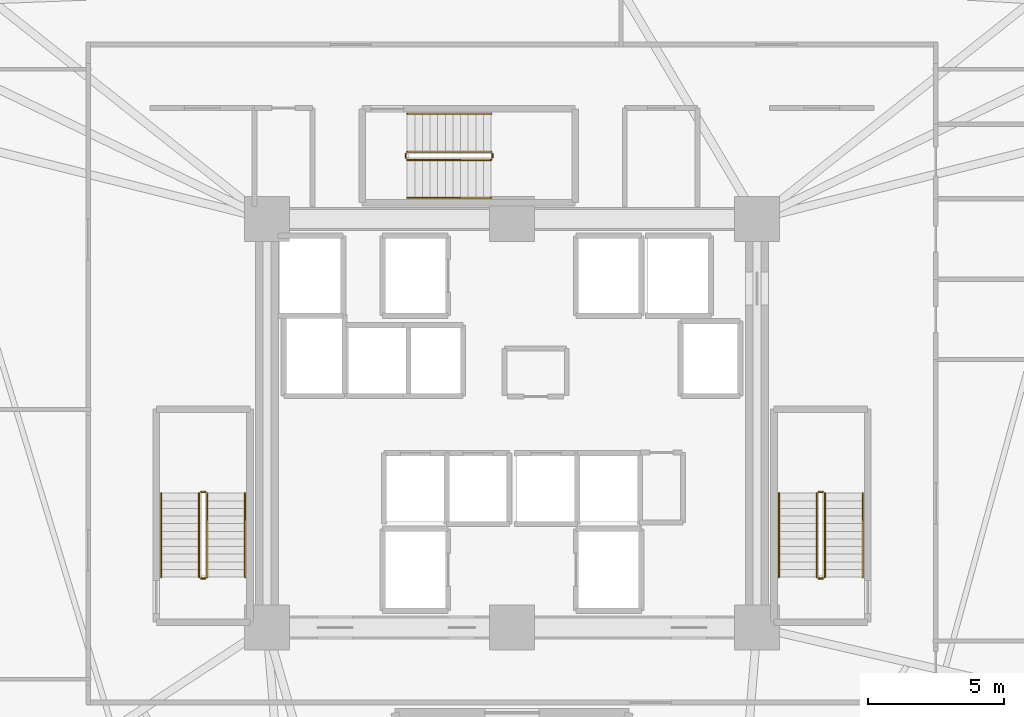
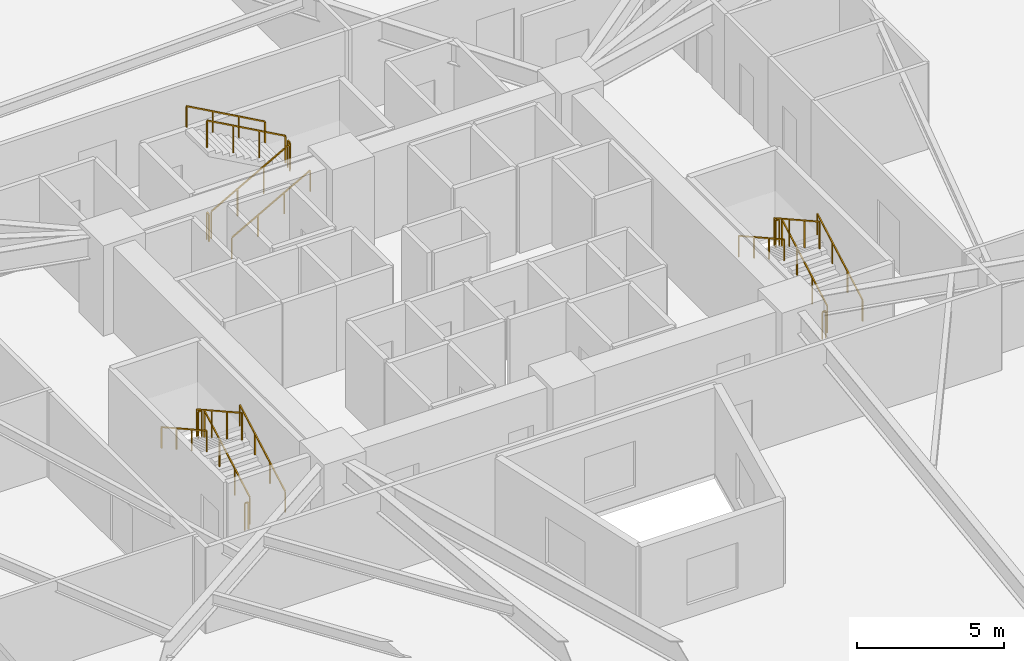
# One storey, part 8 of 8: 18 railings.
"""IFC4 building model written with IfcOpenShell, lengths in metres."""

import ifcopenshell
import ifcopenshell.guid

model = None  # the IFC model being written
_history = None  # IfcOwnerHistory: only IFC2X3 demands one
_inside = {}  # id of a spatial element -> (the spatial element, [elements in it])
_under = {}  # id of a project, library or spatial element -> (it, [spatial elements below it])
_declared = {}  # id of a project -> (the project, [libraries it declares])
_typed = {}  # id of a type object -> (the type object, [elements of that type])
_made_of = {}  # id of a material, layer set ... -> (it, [elements and type objects made of it])


def new_model(schema):
    """Start an empty IFC model of exactly this schema.

    Asked for "IFC4X3", IfcOpenShell would pick the latest addendum, in which some entities
    have other attributes; the version numbers below select the first issue.
    IFC2X3 requires an IfcOwnerHistory on every rooted entity: one is made here for all.
    """
    global model, _history
    if schema == "IFC4X3":
        model = ifcopenshell.file(schema_version=(4, 3, 0, 0))
    else:
        model = ifcopenshell.file(schema=schema)
    _inside.clear()
    _under.clear()
    _declared.clear()
    _typed.clear()
    _made_of.clear()
    _history = None
    if model.schema == "IFC2X3":
        org = make("IfcOrganization", Name="unknown")
        user = make(
            "IfcPersonAndOrganization",
            ThePerson=make("IfcPerson", FamilyName="unknown"),
            TheOrganization=org,
        )
        app = make(
            "IfcApplication",
            ApplicationDeveloper=org,
            Version="unknown",
            ApplicationFullName="unknown",
            ApplicationIdentifier="unknown",
        )
        _history = make(
            "IfcOwnerHistory",
            OwningUser=user,
            OwningApplication=app,
            ChangeAction="ADDED",
            CreationDate=0,
        )
    return model


def make(cls, **values):
    """One entity of the class cls with the attributes given. An attribute that is None is left unset."""
    return model.create_entity(
        cls, **{name: value for name, value in values.items() if value is not None}
    )


def rooted(cls, **values):
    """An entity with a GlobalId (a new one), such as an element, a storey or a relation."""
    return make(cls, GlobalId=ifcopenshell.guid.new(), OwnerHistory=_history, **values)


def si_unit(unit_type, name, prefix=None):
    """IfcSIUnit, for example si_unit("LENGTHUNIT", "METRE", prefix="MILLI")."""
    return make("IfcSIUnit", UnitType=unit_type, Prefix=prefix, Name=name)


def assignment(units):
    """IfcUnitAssignment: the units of a project."""
    return None if units is None else make("IfcUnitAssignment", Units=units)


def point(xyz):
    """IfcCartesianPoint."""
    return None if xyz is None else make("IfcCartesianPoint", Coordinates=xyz)


def direction(xyz):
    """IfcDirection."""
    return None if xyz is None else make("IfcDirection", DirectionRatios=xyz)


def frame(location, z_axis=None, x_axis=None):
    """IfcAxis2Placement3D, a coordinate frame: its origin and axes. An axis left out is left unset."""
    return make(
        "IfcAxis2Placement3D",
        Location=point(location),
        Axis=direction(z_axis),
        RefDirection=direction(x_axis),
    )


def frame_2d(location, x_axis=None):
    """IfcAxis2Placement2D, a coordinate frame in the plane: its origin and x axis."""
    return make(
        "IfcAxis2Placement2D", Location=point(location), RefDirection=direction(x_axis)
    )


def origin():
    """The frame at (0, 0, 0) with its axes left unset."""
    return frame((0.0, 0.0, 0.0))


def origin_2d():
    """The frame at (0, 0) in the plane with its x axis left unset."""
    return frame_2d((0.0, 0.0))


def place(relative_to, where):
    """IfcLocalPlacement: puts the frame where relative to a parent placement (None: the world)."""
    return make(
        "IfcLocalPlacement", PlacementRelTo=relative_to, RelativePlacement=where
    )


def context(
    kind, dimensions, precision=None, world=None, true_north=None, identifier=None
):
    """IfcGeometricRepresentationContext, for example the 3D "Model" context."""
    return make(
        "IfcGeometricRepresentationContext",
        ContextIdentifier=identifier,
        ContextType=kind,
        CoordinateSpaceDimension=dimensions,
        Precision=precision,
        WorldCoordinateSystem=world,
        TrueNorth=true_north,
    )


def subcontext(parent, identifier, kind, view, scale=None):
    """IfcGeometricRepresentationSubContext, for example "Body" below "Model"."""
    return make(
        "IfcGeometricRepresentationSubContext",
        ContextIdentifier=identifier,
        ContextType=kind,
        ParentContext=parent,
        TargetScale=scale,
        TargetView=view,
    )


def project(units=None, contexts=None):
    """IfcProject with its units and contexts."""
    return rooted(
        "IfcProject",
        Name="project",
        RepresentationContexts=contexts,
        UnitsInContext=assignment(units),
    )


def spatial(cls, under=None, at=None, **own):
    """A site, building, storey or space (cls), placed at a placement, below another one or the project."""
    s = rooted(cls, ObjectPlacement=at, **own)
    if under is not None:
        _under.setdefault(under.id(), (under, []))[1].append(s)
    return s


def profile(cls, at=None, kind="AREA", **sizes):
    """A parametric profile (cls). Its sizes go by their IFC names, for example OverallWidth=200.0."""
    return make(cls, ProfileType=kind, Position=at, **sizes)


def rectangle(**sizes):
    """IfcRectangleProfileDef."""
    return profile("IfcRectangleProfileDef", **sizes)


def extrude(swept, where, along, depth):
    """IfcExtrudedAreaSolid: the profile swept, set in the frame where, extruded along a direction by depth."""
    return make(
        "IfcExtrudedAreaSolid",
        SweptArea=swept,
        Position=where,
        ExtrudedDirection=direction(along),
        Depth=depth,
    )


def shape(context_of_items, identifier, shape_type, items):
    """IfcShapeRepresentation: the items that make up one representation, for example the "Body"."""
    return make(
        "IfcShapeRepresentation",
        ContextOfItems=context_of_items,
        RepresentationIdentifier=identifier,
        RepresentationType=shape_type,
        Items=items,
    )


def material(Name=None, Category=None):
    """IfcMaterial."""
    return make("IfcMaterial", Name=Name, Category=Category)


def made_of(thing, what):
    """Note that an element or type object is made of a material, layer set ...; save() writes the relation."""
    if what is not None:
        _made_of.setdefault(what.id(), (what, []))[1].append(thing)
    return thing


def type_object(cls, material=None, **own):
    """A type object (cls), such as IfcWallType, which elements share."""
    return made_of(rooted(cls, **own), material)


def element(
    cls,
    number,
    at=None,
    inside=None,
    cuts=None,
    type_object=None,
    material=None,
    context=None,
    identifier="Body",
    shape_type=None,
    held_by="IfcProductDefinitionShape",
    body=None,
    shapes=None,
    **own,
):
    """One element of the class cls, such as IfcWall. Its Tag is "e" and its number.

    at: its placement. inside: the storey or other place that contains it. cuts: it is an
    opening in that element (IfcRelVoidsElement). A single representation is given by context,
    identifier, shape_type and body (its items); several are given by shapes. held_by: the class
    of the entity that holds the representations. save() writes the other relations.
    """
    e = rooted(cls, Tag="e%d" % number, ObjectPlacement=at, **own)
    if body is not None:
        shapes = [shape(context, identifier, shape_type, body)]
    if shapes is not None:
        e.Representation = make(held_by, Representations=shapes)
    if inside is not None:
        _inside.setdefault(inside.id(), (inside, []))[1].append(e)
    if cuts is not None:
        rooted(
            "IfcRelVoidsElement", RelatingBuildingElement=cuts, RelatedOpeningElement=e
        )
    if type_object is not None:
        _typed.setdefault(type_object.id(), (type_object, []))[1].append(e)
    return made_of(e, material)


def aggregate(whole, parts):
    """IfcRelAggregates: a whole, such as a stair, and the parts it consists of."""
    return rooted("IfcRelAggregates", RelatingObject=whole, RelatedObjects=parts)


def save(model, path):
    """Write the relations noted so far, then the file.

    IfcRelAggregates (storeys below a building ...), IfcRelContainedInSpatialStructure (elements
    in a storey), IfcRelDefinesByType, IfcRelAssociatesMaterial and IfcRelDeclares: one each for
    every whole, place, type object, material and project.
    """
    for whole, parts in _under.values():
        aggregate(whole, parts)
    for where, things in _inside.values():
        rooted(
            "IfcRelContainedInSpatialStructure",
            RelatedElements=things,
            RelatingStructure=where,
        )
    for kind, things in _typed.values():
        rooted("IfcRelDefinesByType", RelatedObjects=things, RelatingType=kind)
    for what, things in _made_of.values():
        rooted("IfcRelAssociatesMaterial", RelatedObjects=things, RelatingMaterial=what)
    for by, libraries in _declared.values():
        rooted("IfcRelDeclares", RelatingContext=by, RelatedDefinitions=libraries)
    model.write(path)


model = new_model("IFC4")

# Units and contexts
model_context = context("Model", 3, precision=1e-05, world=origin(), true_north=direction((0.0, 1.0)))
body_context = subcontext(model_context, "Body", "Model", "MODEL_VIEW")
ifc_project = project(units=[si_unit("LENGTHUNIT", "METRE"), si_unit("AREAUNIT", "SQUARE_METRE"), si_unit("VOLUMEUNIT", "CUBIC_METRE"), si_unit("PLANEANGLEUNIT", "RADIAN"), si_unit("MASSUNIT", "GRAM", prefix="KILO")], contexts=[model_context])

# Site, building, storey
site_placement = place(None, origin())
site = spatial("IfcSite", under=ifc_project, at=site_placement, CompositionType="ELEMENT")
building_placement = place(site_placement, origin())
building = spatial("IfcBuilding", under=site, at=building_placement, Name="Liaohun Quay Tower", CompositionType="ELEMENT")
storey_placement = place(building_placement, frame((0.0, 0.0, 66.75)))
storey = spatial("IfcBuildingStorey", under=building, at=storey_placement, Name="L17", CompositionType="ELEMENT", Elevation=66.75)

# Railings
ifc_material_1 = material(Name="Painted tubular steel", Category="steel")
railing_type_1 = type_object("IfcRailingType", Name="RLG-GUARD-STR", PredefinedType="GUARDRAIL", material=ifc_material_1)
railing_1_placement = place(storey_placement, frame((48.81005859375, 48.35009765625, 0.15625)))
element("IfcRailing", 1, at=railing_1_placement, inside=storey, type_object=railing_type_1, Name="L17 ST-1 stair guard 1", PredefinedType="GUARDRAIL", context=body_context, shape_type="SweptSolid", body=[
    extrude(rectangle(XDim=0.048095703125, YDim=0.048095703125, at=origin_2d()), frame((0.0, 0.0, 1.1259765625), z_axis=(0.0, 0.873225103656, 0.487317061414), x_axis=(-1.0, 0.0, 0.0)), (0.0, 0.0, 1.0), 3.52685546875),
    extrude(rectangle(XDim=0.0419921875, YDim=0.0419921875, at=origin_2d()), origin(), (0.0, 0.0, 1.0), 1.101806640625),
    extrude(rectangle(XDim=0.0419921875, YDim=0.0419921875, at=origin_2d()), frame((0.0, 1.026611328125, 0.572998046875)), (0.0, 0.0, 1.0), 1.101806640625),
    extrude(rectangle(XDim=0.0419921875, YDim=0.0419921875, at=origin_2d()), frame((0.0, 2.05322265625, 1.145751953125)), (0.0, 0.0, 1.0), 1.101806640625),
    extrude(rectangle(XDim=0.0419921875, YDim=0.0419921875, at=origin_2d()), frame((0.0, 3.079833984375, 1.71875)), (0.0, 0.0, 1.0), 1.101806640625),
])
railing_2_placement = place(storey_placement, frame((48.72998046875, 51.47998046875, 1.875)))
element("IfcRailing", 2, at=railing_2_placement, inside=storey, type_object=railing_type_1, Name="L17 ST-1 stair guard 2", PredefinedType="GUARDRAIL", context=body_context, shape_type="SweptSolid", body=[
    extrude(rectangle(XDim=0.048095703125, YDim=0.048095703125, at=origin_2d()), frame((0.0, 0.0, 1.1259765625), z_axis=(-1.0, 0.0, 0.0), x_axis=(0.0, -1.0, 0.0)), (0.0, 0.0, 1.0), 0.139892578125),
    extrude(rectangle(XDim=0.0419921875, YDim=0.0419921875, at=origin_2d()), origin(), (0.0, 0.0, 1.0), 1.101806640625),
    extrude(rectangle(XDim=0.0419921875, YDim=0.0419921875, at=origin_2d()), frame((-0.139892578125, 0.0, 0.0)), (0.0, 0.0, 1.0), 1.101806640625),
])
railing_3_placement = place(storey_placement, frame((48.510009765625, 51.429931640625, 2.03125)))
element("IfcRailing", 3, at=railing_3_placement, inside=storey, type_object=railing_type_1, Name="L17 ST-1 stair guard 3", PredefinedType="GUARDRAIL", context=body_context, shape_type="SweptSolid", body=[
    extrude(rectangle(XDim=0.048095703125, YDim=0.048095703125, at=origin_2d()), frame((0.0, 0.0, 1.1259765625), z_axis=(0.0, -0.873225103656, 0.487317061414), x_axis=(1.0, 0.0, 0.0)), (0.0, 0.0, 1.0), 3.52685546875),
    extrude(rectangle(XDim=0.0419921875, YDim=0.0419921875, at=origin_2d()), origin(), (0.0, 0.0, 1.0), 1.101806640625),
    extrude(rectangle(XDim=0.0419921875, YDim=0.0419921875, at=origin_2d()), frame((0.0, -1.026611328125, 0.572998046875)), (0.0, 0.0, 1.0), 1.101806640625),
    extrude(rectangle(XDim=0.0419921875, YDim=0.0419921875, at=origin_2d()), frame((0.0, -2.05322265625, 1.145751953125)), (0.0, 0.0, 1.0), 1.101806640625),
    extrude(rectangle(XDim=0.0419921875, YDim=0.0419921875, at=origin_2d()), frame((0.0, -3.079833984375, 1.71875)), (0.0, 0.0, 1.0), 1.101806640625),
])
railing_4_placement = place(storey_placement, frame((48.72998046875, 48.300048828125, 0.0)))
element("IfcRailing", 4, at=railing_4_placement, inside=storey, type_object=railing_type_1, Name="L17 ST-1 stair guard 4", PredefinedType="GUARDRAIL", context=body_context, shape_type="SweptSolid", body=[
    extrude(rectangle(XDim=0.048095703125, YDim=0.048095703125, at=origin_2d()), frame((0.0, 0.0, 1.1259765625), z_axis=(-1.0, 0.0, 0.0), x_axis=(0.0, -1.0, 0.0)), (0.0, 0.0, 1.0), 0.139892578125),
    extrude(rectangle(XDim=0.0419921875, YDim=0.0419921875, at=origin_2d()), origin(), (0.0, 0.0, 1.0), 1.101806640625),
    extrude(rectangle(XDim=0.0419921875, YDim=0.0419921875, at=origin_2d()), frame((-0.139892578125, 0.0, 0.0)), (0.0, 0.0, 1.0), 1.101806640625),
])
railing_5_placement = place(storey_placement, frame((71.489990234375, 48.35009765625, 0.15625)))
element("IfcRailing", 5, at=railing_5_placement, inside=storey, type_object=railing_type_1, Name="L17 ST-2 stair guard 1", PredefinedType="GUARDRAIL", context=body_context, shape_type="SweptSolid", body=[
    extrude(rectangle(XDim=0.048095703125, YDim=0.048095703125, at=origin_2d()), frame((0.0, 0.0, 1.1259765625), z_axis=(0.0, 0.873225103656, 0.487317061414), x_axis=(-1.0, 0.0, 0.0)), (0.0, 0.0, 1.0), 3.52685546875),
    extrude(rectangle(XDim=0.0419921875, YDim=0.0419921875, at=origin_2d()), origin(), (0.0, 0.0, 1.0), 1.101806640625),
    extrude(rectangle(XDim=0.0419921875, YDim=0.0419921875, at=origin_2d()), frame((0.0, 1.026611328125, 0.572998046875)), (0.0, 0.0, 1.0), 1.101806640625),
    extrude(rectangle(XDim=0.0419921875, YDim=0.0419921875, at=origin_2d()), frame((0.0, 2.05322265625, 1.145751953125)), (0.0, 0.0, 1.0), 1.101806640625),
    extrude(rectangle(XDim=0.0419921875, YDim=0.0419921875, at=origin_2d()), frame((0.0, 3.079833984375, 1.71875)), (0.0, 0.0, 1.0), 1.101806640625),
])
railing_6_placement = place(storey_placement, frame((71.409912109375, 51.47998046875, 1.875)))
element("IfcRailing", 6, at=railing_6_placement, inside=storey, type_object=railing_type_1, Name="L17 ST-2 stair guard 2", PredefinedType="GUARDRAIL", context=body_context, shape_type="SweptSolid", body=[
    extrude(rectangle(XDim=0.048095703125, YDim=0.048095703125, at=origin_2d()), frame((0.0, 0.0, 1.1259765625), z_axis=(-1.0, 0.0, 0.0), x_axis=(0.0, -1.0, 0.0)), (0.0, 0.0, 1.0), 0.139892578125),
    extrude(rectangle(XDim=0.0419921875, YDim=0.0419921875, at=origin_2d()), origin(), (0.0, 0.0, 1.0), 1.101806640625),
    extrude(rectangle(XDim=0.0419921875, YDim=0.0419921875, at=origin_2d()), frame((-0.139892578125, 0.0, 0.0)), (0.0, 0.0, 1.0), 1.101806640625),
])
railing_7_placement = place(storey_placement, frame((71.18994140625, 51.429931640625, 2.03125)))
element("IfcRailing", 7, at=railing_7_placement, inside=storey, type_object=railing_type_1, Name="L17 ST-2 stair guard 3", PredefinedType="GUARDRAIL", context=body_context, shape_type="SweptSolid", body=[
    extrude(rectangle(XDim=0.048095703125, YDim=0.048095703125, at=origin_2d()), frame((0.0, 0.0, 1.1259765625), z_axis=(0.0, -0.873225103656, 0.487317061414), x_axis=(1.0, 0.0, 0.0)), (0.0, 0.0, 1.0), 3.52685546875),
    extrude(rectangle(XDim=0.0419921875, YDim=0.0419921875, at=origin_2d()), origin(), (0.0, 0.0, 1.0), 1.101806640625),
    extrude(rectangle(XDim=0.0419921875, YDim=0.0419921875, at=origin_2d()), frame((0.0, -1.026611328125, 0.572998046875)), (0.0, 0.0, 1.0), 1.101806640625),
    extrude(rectangle(XDim=0.0419921875, YDim=0.0419921875, at=origin_2d()), frame((0.0, -2.05322265625, 1.145751953125)), (0.0, 0.0, 1.0), 1.101806640625),
    extrude(rectangle(XDim=0.0419921875, YDim=0.0419921875, at=origin_2d()), frame((0.0, -3.079833984375, 1.71875)), (0.0, 0.0, 1.0), 1.101806640625),
])
railing_8_placement = place(storey_placement, frame((71.409912109375, 48.300048828125, 0.0)))
element("IfcRailing", 8, at=railing_8_placement, inside=storey, type_object=railing_type_1, Name="L17 ST-2 stair guard 4", PredefinedType="GUARDRAIL", context=body_context, shape_type="SweptSolid", body=[
    extrude(rectangle(XDim=0.048095703125, YDim=0.048095703125, at=origin_2d()), frame((0.0, 0.0, 1.1259765625), z_axis=(-1.0, 0.0, 0.0), x_axis=(0.0, -1.0, 0.0)), (0.0, 0.0, 1.0), 0.139892578125),
    extrude(rectangle(XDim=0.0419921875, YDim=0.0419921875, at=origin_2d()), origin(), (0.0, 0.0, 1.0), 1.101806640625),
    extrude(rectangle(XDim=0.0419921875, YDim=0.0419921875, at=origin_2d()), frame((-0.139892578125, 0.0, 0.0)), (0.0, 0.0, 1.0), 1.101806640625),
])
railing_9_placement = place(storey_placement, frame((56.14990234375, 63.669921875, 0.15625)))
element("IfcRailing", 9, at=railing_9_placement, inside=storey, type_object=railing_type_1, Name="L17 ST-3 stair guard 1", PredefinedType="GUARDRAIL", context=body_context, shape_type="SweptSolid", body=[
    extrude(rectangle(XDim=0.048095703125, YDim=0.048095703125, at=origin_2d()), frame((0.0, 0.0, 1.1259765625), z_axis=(0.873241540666, 0.0, 0.487287606713), x_axis=(0.0, 1.0, 0.0)), (0.0, 0.0, 1.0), 3.527099609375),
    extrude(rectangle(XDim=0.0419921875, YDim=0.0419921875, at=origin_2d()), origin(), (0.0, 0.0, 1.0), 1.101806640625),
    extrude(rectangle(XDim=0.0419921875, YDim=0.0419921875, at=origin_2d()), frame((1.026611328125, 0.0, 0.572998046875)), (0.0, 0.0, 1.0), 1.101806640625),
    extrude(rectangle(XDim=0.0419921875, YDim=0.0419921875, at=origin_2d()), frame((2.053466796875, 0.0, 1.145751953125)), (0.0, 0.0, 1.0), 1.101806640625),
    extrude(rectangle(XDim=0.0419921875, YDim=0.0419921875, at=origin_2d()), frame((3.080078125, 0.0, 1.71875)), (0.0, 0.0, 1.0), 1.101806640625),
])
railing_10_placement = place(storey_placement, frame((59.280029296875, 63.75, 1.875)))
element("IfcRailing", 10, at=railing_10_placement, inside=storey, type_object=railing_type_1, Name="L17 ST-3 stair guard 2", PredefinedType="GUARDRAIL", context=body_context, shape_type="SweptSolid", body=[
    extrude(rectangle(XDim=0.048095703125, YDim=0.048095703125, at=origin_2d()), frame((0.0, 0.0, 1.1259765625), z_axis=(0.0, 1.0, 0.0), x_axis=(-1.0, 0.0, 0.0)), (0.0, 0.0, 1.0), 0.139892578125),
    extrude(rectangle(XDim=0.0419921875, YDim=0.0419921875, at=origin_2d()), origin(), (0.0, 0.0, 1.0), 1.101806640625),
    extrude(rectangle(XDim=0.0419921875, YDim=0.0419921875, at=origin_2d()), frame((0.0, 0.139892578125, 0.0)), (0.0, 0.0, 1.0), 1.101806640625),
])
railing_11_placement = place(storey_placement, frame((59.22998046875, 63.969970703125, 2.03125)))
element("IfcRailing", 11, at=railing_11_placement, inside=storey, type_object=railing_type_1, Name="L17 ST-3 stair guard 3", PredefinedType="GUARDRAIL", context=body_context, shape_type="SweptSolid", body=[
    extrude(rectangle(XDim=0.048095703125, YDim=0.048095703125, at=origin_2d()), frame((0.0, 0.0, 1.1259765625), z_axis=(-0.873241540666, 0.0, 0.487287606713), x_axis=(0.0, -1.0, 0.0)), (0.0, 0.0, 1.0), 3.527099609375),
    extrude(rectangle(XDim=0.0419921875, YDim=0.0419921875, at=origin_2d()), origin(), (0.0, 0.0, 1.0), 1.101806640625),
    extrude(rectangle(XDim=0.0419921875, YDim=0.0419921875, at=origin_2d()), frame((-1.026611328125, 0.0, 0.572998046875)), (0.0, 0.0, 1.0), 1.101806640625),
    extrude(rectangle(XDim=0.0419921875, YDim=0.0419921875, at=origin_2d()), frame((-2.053466796875, 0.0, 1.145751953125)), (0.0, 0.0, 1.0), 1.101806640625),
    extrude(rectangle(XDim=0.0419921875, YDim=0.0419921875, at=origin_2d()), frame((-3.080078125, 0.0, 1.71875)), (0.0, 0.0, 1.0), 1.101806640625),
])
railing_12_placement = place(storey_placement, frame((56.10009765625, 63.75, 0.0)))
element("IfcRailing", 12, at=railing_12_placement, inside=storey, type_object=railing_type_1, Name="L17 ST-3 stair guard 4", PredefinedType="GUARDRAIL", context=body_context, shape_type="SweptSolid", body=[
    extrude(rectangle(XDim=0.048095703125, YDim=0.048095703125, at=origin_2d()), frame((0.0, 0.0, 1.1259765625), z_axis=(0.0, 1.0, 0.0), x_axis=(-1.0, 0.0, 0.0)), (0.0, 0.0, 1.0), 0.139892578125),
    extrude(rectangle(XDim=0.0419921875, YDim=0.0419921875, at=origin_2d()), origin(), (0.0, 0.0, 1.0), 1.101806640625),
    extrude(rectangle(XDim=0.0419921875, YDim=0.0419921875, at=origin_2d()), frame((0.0, 0.139892578125, 0.0)), (0.0, 0.0, 1.0), 1.101806640625),
])
ifc_material_2 = material(Name="Brushed stainless steel", Category="steel")
railing_type_2 = type_object("IfcRailingType", Name="RLG-HND-STR", PredefinedType="HANDRAIL", material=ifc_material_2)
railing_13_placement = place(storey_placement, frame((50.199951171875, 48.35009765625, 0.15625)))
element("IfcRailing", 13, at=railing_13_placement, inside=storey, type_object=railing_type_2, Name="L17 ST-1 stair handrail 1", PredefinedType="HANDRAIL", context=body_context, shape_type="SweptSolid", body=[
    extrude(rectangle(XDim=0.048095703125, YDim=0.048095703125, at=origin_2d()), frame((0.0, 0.0, 0.8759765625), z_axis=(0.0, 0.873225103656, 0.487317061414), x_axis=(-1.0, 0.0, 0.0)), (0.0, 0.0, 1.0), 3.52685546875),
    extrude(rectangle(XDim=0.0419921875, YDim=0.0419921875, at=origin_2d()), origin(), (0.0, 0.0, 1.0), 0.851806640625),
    extrude(rectangle(XDim=0.0419921875, YDim=0.0419921875, at=origin_2d()), frame((0.0, 1.026611328125, 0.572998046875)), (0.0, 0.0, 1.0), 0.851806640625),
    extrude(rectangle(XDim=0.0419921875, YDim=0.0419921875, at=origin_2d()), frame((0.0, 2.05322265625, 1.145751953125)), (0.0, 0.0, 1.0), 0.851806640625),
    extrude(rectangle(XDim=0.0419921875, YDim=0.0419921875, at=origin_2d()), frame((0.0, 3.079833984375, 1.71875)), (0.0, 0.0, 1.0), 0.851806640625),
])
railing_14_placement = place(storey_placement, frame((47.1201171875, 51.429931640625, 2.03125)))
element("IfcRailing", 14, at=railing_14_placement, inside=storey, type_object=railing_type_2, Name="L17 ST-1 stair handrail 2", PredefinedType="HANDRAIL", context=body_context, shape_type="SweptSolid", body=[
    extrude(rectangle(XDim=0.048095703125, YDim=0.048095703125, at=origin_2d()), frame((0.0, 0.0, 0.8759765625), z_axis=(0.0, -0.873225103656, 0.487317061414), x_axis=(1.0, 0.0, 0.0)), (0.0, 0.0, 1.0), 3.52685546875),
    extrude(rectangle(XDim=0.0419921875, YDim=0.0419921875, at=origin_2d()), origin(), (0.0, 0.0, 1.0), 0.851806640625),
    extrude(rectangle(XDim=0.0419921875, YDim=0.0419921875, at=origin_2d()), frame((0.0, -1.026611328125, 0.572998046875)), (0.0, 0.0, 1.0), 0.851806640625),
    extrude(rectangle(XDim=0.0419921875, YDim=0.0419921875, at=origin_2d()), frame((0.0, -2.05322265625, 1.145751953125)), (0.0, 0.0, 1.0), 0.851806640625),
    extrude(rectangle(XDim=0.0419921875, YDim=0.0419921875, at=origin_2d()), frame((0.0, -3.079833984375, 1.71875)), (0.0, 0.0, 1.0), 0.851806640625),
])
railing_15_placement = place(storey_placement, frame((72.8798828125, 48.35009765625, 0.15625)))
element("IfcRailing", 15, at=railing_15_placement, inside=storey, type_object=railing_type_2, Name="L17 ST-2 stair handrail 1", PredefinedType="HANDRAIL", context=body_context, shape_type="SweptSolid", body=[
    extrude(rectangle(XDim=0.048095703125, YDim=0.048095703125, at=origin_2d()), frame((0.0, 0.0, 0.8759765625), z_axis=(0.0, 0.873225103656, 0.487317061414), x_axis=(-1.0, 0.0, 0.0)), (0.0, 0.0, 1.0), 3.52685546875),
    extrude(rectangle(XDim=0.0419921875, YDim=0.0419921875, at=origin_2d()), origin(), (0.0, 0.0, 1.0), 0.851806640625),
    extrude(rectangle(XDim=0.0419921875, YDim=0.0419921875, at=origin_2d()), frame((0.0, 1.026611328125, 0.572998046875)), (0.0, 0.0, 1.0), 0.851806640625),
    extrude(rectangle(XDim=0.0419921875, YDim=0.0419921875, at=origin_2d()), frame((0.0, 2.05322265625, 1.145751953125)), (0.0, 0.0, 1.0), 0.851806640625),
    extrude(rectangle(XDim=0.0419921875, YDim=0.0419921875, at=origin_2d()), frame((0.0, 3.079833984375, 1.71875)), (0.0, 0.0, 1.0), 0.851806640625),
])
railing_16_placement = place(storey_placement, frame((69.800048828125, 51.429931640625, 2.03125)))
element("IfcRailing", 16, at=railing_16_placement, inside=storey, type_object=railing_type_2, Name="L17 ST-2 stair handrail 2", PredefinedType="HANDRAIL", context=body_context, shape_type="SweptSolid", body=[
    extrude(rectangle(XDim=0.048095703125, YDim=0.048095703125, at=origin_2d()), frame((0.0, 0.0, 0.8759765625), z_axis=(0.0, -0.873225103656, 0.487317061414), x_axis=(1.0, 0.0, 0.0)), (0.0, 0.0, 1.0), 3.52685546875),
    extrude(rectangle(XDim=0.0419921875, YDim=0.0419921875, at=origin_2d()), origin(), (0.0, 0.0, 1.0), 0.851806640625),
    extrude(rectangle(XDim=0.0419921875, YDim=0.0419921875, at=origin_2d()), frame((0.0, -1.026611328125, 0.572998046875)), (0.0, 0.0, 1.0), 0.851806640625),
    extrude(rectangle(XDim=0.0419921875, YDim=0.0419921875, at=origin_2d()), frame((0.0, -2.05322265625, 1.145751953125)), (0.0, 0.0, 1.0), 0.851806640625),
    extrude(rectangle(XDim=0.0419921875, YDim=0.0419921875, at=origin_2d()), frame((0.0, -3.079833984375, 1.71875)), (0.0, 0.0, 1.0), 0.851806640625),
])
railing_17_placement = place(storey_placement, frame((56.14990234375, 62.280029296875, 0.15625)))
element("IfcRailing", 17, at=railing_17_placement, inside=storey, type_object=railing_type_2, Name="L17 ST-3 stair handrail 1", PredefinedType="HANDRAIL", context=body_context, shape_type="SweptSolid", body=[
    extrude(rectangle(XDim=0.048095703125, YDim=0.048095703125, at=origin_2d()), frame((0.0, 0.0, 0.8759765625), z_axis=(0.873241540666, 0.0, 0.487287606713), x_axis=(0.0, 1.0, 0.0)), (0.0, 0.0, 1.0), 3.527099609375),
    extrude(rectangle(XDim=0.0419921875, YDim=0.0419921875, at=origin_2d()), origin(), (0.0, 0.0, 1.0), 0.851806640625),
    extrude(rectangle(XDim=0.0419921875, YDim=0.0419921875, at=origin_2d()), frame((1.026611328125, 0.0, 0.572998046875)), (0.0, 0.0, 1.0), 0.851806640625),
    extrude(rectangle(XDim=0.0419921875, YDim=0.0419921875, at=origin_2d()), frame((2.053466796875, 0.0, 1.145751953125)), (0.0, 0.0, 1.0), 0.851806640625),
    extrude(rectangle(XDim=0.0419921875, YDim=0.0419921875, at=origin_2d()), frame((3.080078125, 0.0, 1.71875)), (0.0, 0.0, 1.0), 0.851806640625),
])
railing_18_placement = place(storey_placement, frame((59.22998046875, 65.360107421875, 2.03125)))
element("IfcRailing", 18, at=railing_18_placement, inside=storey, type_object=railing_type_2, Name="L17 ST-3 stair handrail 2", PredefinedType="HANDRAIL", context=body_context, shape_type="SweptSolid", body=[
    extrude(rectangle(XDim=0.048095703125, YDim=0.048095703125, at=origin_2d()), frame((0.0, 0.0, 0.8759765625), z_axis=(-0.873241540666, 0.0, 0.487287606713), x_axis=(0.0, -1.0, 0.0)), (0.0, 0.0, 1.0), 3.527099609375),
    extrude(rectangle(XDim=0.0419921875, YDim=0.0419921875, at=origin_2d()), origin(), (0.0, 0.0, 1.0), 0.851806640625),
    extrude(rectangle(XDim=0.0419921875, YDim=0.0419921875, at=origin_2d()), frame((-1.026611328125, 0.0, 0.572998046875)), (0.0, 0.0, 1.0), 0.851806640625),
    extrude(rectangle(XDim=0.0419921875, YDim=0.0419921875, at=origin_2d()), frame((-2.053466796875, 0.0, 1.145751953125)), (0.0, 0.0, 1.0), 0.851806640625),
    extrude(rectangle(XDim=0.0419921875, YDim=0.0419921875, at=origin_2d()), frame((-3.080078125, 0.0, 1.71875)), (0.0, 0.0, 1.0), 0.851806640625),
])

save(model, "model.ifc")
